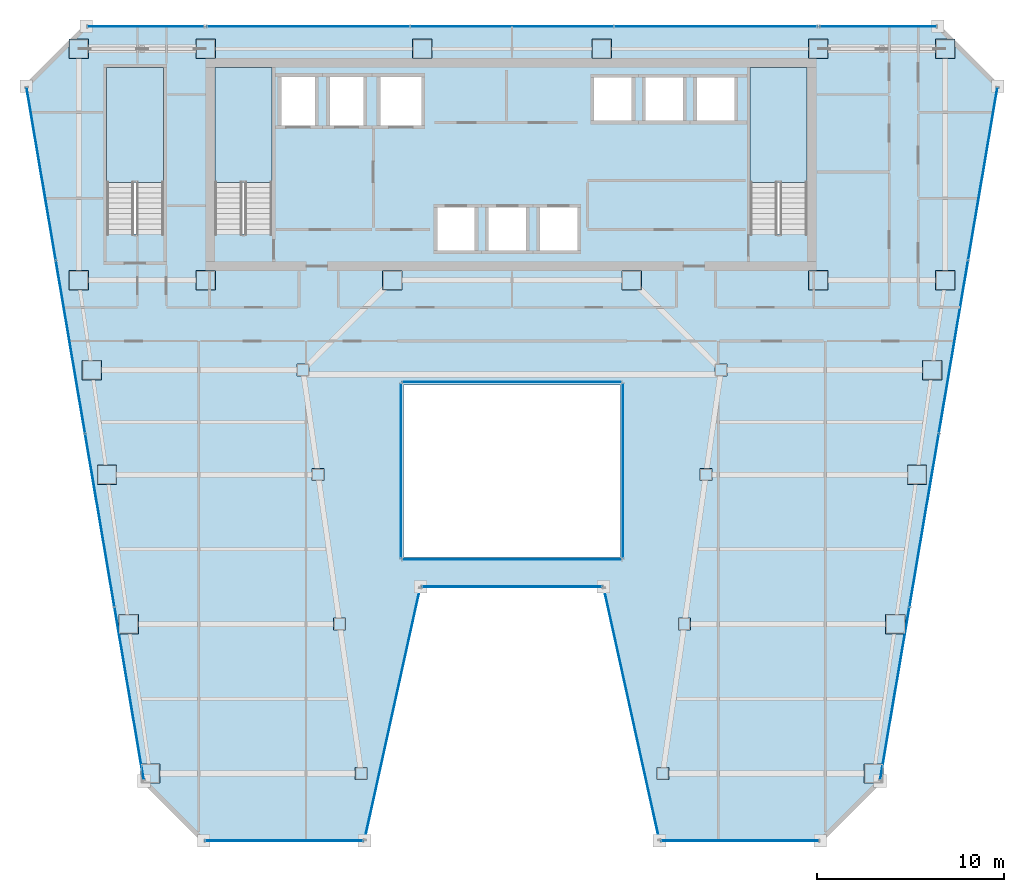
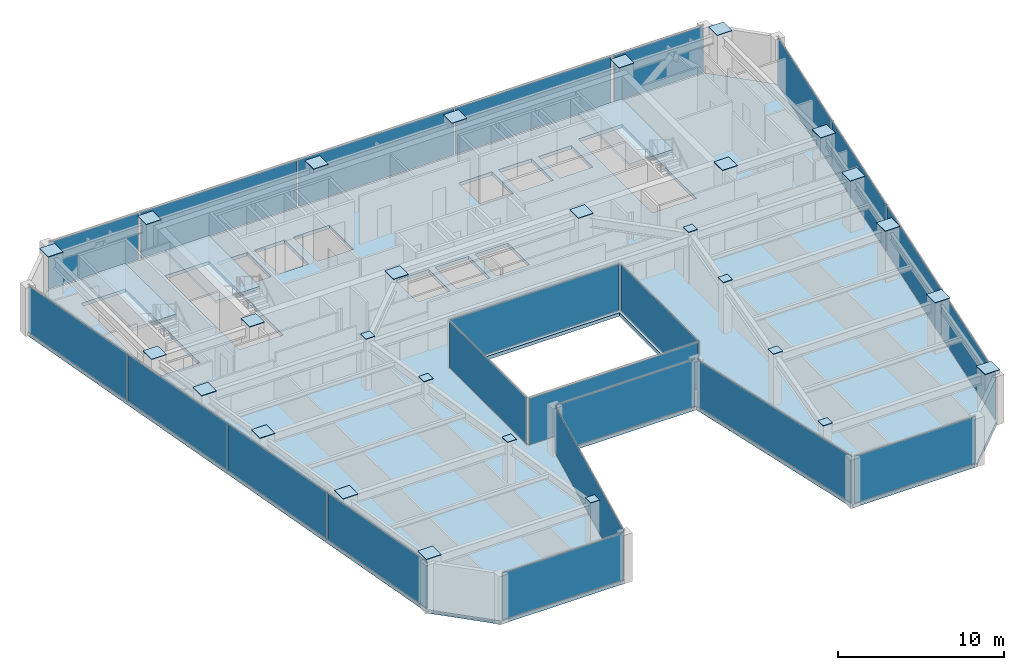
# One storey, part 27 of 35: 50 plates, 4 slabs, 17 elements without a shape of their own.
"""IFC4 building model written with IfcOpenShell, lengths in metres."""

from ifc_helpers import new_model, si_unit, direction, frame, origin, origin_2d, place, context, subcontext, project, spatial, polyline, rectangle, outline, extrude, material, layer, layer_set, type_object, element, aggregate, save


model = new_model("IFC4")

# Units and contexts
model_context = context("Model", 3, precision=1e-05, world=origin(), true_north=direction((0.0, 1.0)))
body_context = subcontext(model_context, "Body", "Model", "MODEL_VIEW")
ifc_project = project(units=[si_unit("LENGTHUNIT", "METRE"), si_unit("AREAUNIT", "SQUARE_METRE"), si_unit("VOLUMEUNIT", "CUBIC_METRE"), si_unit("PLANEANGLEUNIT", "RADIAN"), si_unit("MASSUNIT", "GRAM", prefix="KILO")], contexts=[model_context])

# Site, building, storey
site_placement = place(None, origin())
site = spatial("IfcSite", under=ifc_project, at=site_placement, CompositionType="ELEMENT")
building_placement = place(site_placement, origin())
building = spatial("IfcBuilding", under=site, at=building_placement, Name="Saevonmaru Cultural Tower", CompositionType="ELEMENT")
storey_placement = place(building_placement, frame((0.0, 0.0, 179.0)))
storey = spatial("IfcBuildingStorey", under=building, at=storey_placement, Name="L40", CompositionType="ELEMENT", Elevation=179.0)

# Plates
ifc_material_1 = material(Name="Steel HSA600 (600 MPa)", Category="steel")
ifc_layer_1 = layer(ifc_material_1, 0.0400390625, Name="Steel HSA600 (600 MPa)")
ifc_layer_set_1 = layer_set([ifc_layer_1], Name="Steel HSA600 (600 MPa)")
plate_type_1 = type_object("IfcPlateType", Name="PL-CAP-1000", PredefinedType="USERDEFINED", material=ifc_layer_set_1)
for number, where, z_axis, x_axis, name in (
    (1, (49.3720703125, 16.0, 3.794921875), (0.0, 0.0, 1.0), (1.0, 0.0, 0.0), "Column head cap plate TC-EO-Y160 L40"),
    (2, (50.528076171875, 24.0, 3.794921875), (0.0, 0.0, 1.0), (1.0, 0.0, 0.0), "Column head cap plate TC-EO-Y240 L40"),
    (3, (51.68310546875, 32.0, 3.794921875), (0.0, 0.0, 1.0), (1.0, 0.0, 0.0), "Column head cap plate TC-EO-Y320 L40"),
    (4, (52.491943359375, 37.60009765625, 3.794921875), (0.0, 0.0, 1.0), (1.0, 0.0, 0.0), "Column head cap plate TC-EO-Y376 L40"),
    (5, (6.800048828125, 54.800048828125, 3.794921875), (0.0, 0.0, 1.0), (1.0, 0.0, 0.0), "Column head cap plate TC-N1N L40"),
    (6, (13.60009765625, 54.800048828125, 3.794921875), (0.0, 0.0, 1.0), (1.0, 0.0, 0.0), "Column head cap plate TC-N2N L40"),
    (7, (25.199951171875, 54.800048828125, 3.794921875), (0.0, 0.0, 1.0), (1.0, 0.0, 0.0), "Column head cap plate TC-N3N L40"),
    (8, (34.800048828125, 54.800048828125, 3.794921875), (0.0, 0.0, 1.0), (1.0, 0.0, 0.0), "Column head cap plate TC-N4N L40"),
    (9, (46.39990234375, 54.800048828125, 3.794921875), (0.0, 0.0, 1.0), (1.0, 0.0, 0.0), "Column head cap plate TC-N5N L40"),
    (10, (53.199951171875, 54.800048828125, 3.794921875), (0.0, 0.0, 1.0), (1.0, 0.0, 0.0), "Column head cap plate TC-N6N L40"),
    (11, (6.800048828125, 42.39990234375, 3.794921875), (0.0, 0.0, 1.0), (1.0, 0.0, 0.0), "Column head cap plate TC-S1C L40"),
    (12, (13.60009765625, 42.39990234375, 3.794921875), (0.0, 0.0, 1.0), (1.0, 0.0, 0.0), "Column head cap plate TC-S2C L40"),
    (13, (23.60009765625, 42.39990234375, 3.794921875), (0.0, 0.0, 1.0), (1.0, 0.0, 0.0), "Column head cap plate TC-S3C L40"),
    (14, (36.39990234375, 42.39990234375, 3.794921875), (0.0, 0.0, 1.0), (1.0, 0.0, 0.0), "Column head cap plate TC-S4C L40"),
    (15, (46.39990234375, 42.39990234375, 3.794921875), (0.0, 0.0, 1.0), (1.0, 0.0, 0.0), "Column head cap plate TC-S5C L40"),
    (16, (53.199951171875, 42.39990234375, 3.794921875), (0.0, 0.0, 1.0), (1.0, 0.0, 0.0), "Column head cap plate TC-S6C L40"),
    (17, (10.6279296875, 16.0, 3.794921875), (0.0, 0.0, 1.0), (1.0, 0.0, 0.0), "Column head cap plate TC-WO-Y160 L40"),
    (18, (9.471923828125, 24.0, 3.794921875), (0.0, 0.0, 1.0), (1.0, 0.0, 0.0), "Column head cap plate TC-WO-Y240 L40"),
    (19, (8.31689453125, 32.0, 3.794921875), (0.0, 0.0, 1.0), (1.0, 0.0, 0.0), "Column head cap plate TC-WO-Y320 L40"),
    (20, (7.508056640625, 37.60009765625, 3.794921875), (0.0, 0.0, 1.0), (1.0, 0.0, 0.0), "Column head cap plate TC-WO-Y376 L40"),
):
    element("IfcPlate", number, at=place(storey_placement, frame(where, z_axis=z_axis, x_axis=x_axis)), inside=storey, type_object=plate_type_1, Name=name, ObjectType="CAP_PLATE", PredefinedType="USERDEFINED", context=body_context, shape_type="SweptSolid", body=[
        extrude(rectangle(XDim=1.0400390625, YDim=1.0400390625, at=origin_2d()), origin(), (0.0, 0.0, 1.0), 0.0400390625),
    ])
ifc_layer_2 = layer(ifc_material_1, 0.0400390625, Name="Steel HSA600 (600 MPa)")
ifc_layer_set_2 = layer_set([ifc_layer_2], Name="Steel HSA600 (600 MPa)")
plate_type_2 = type_object("IfcPlateType", Name="PL-CAP-600", PredefinedType="USERDEFINED", material=ifc_layer_set_2)
for number, where, z_axis, x_axis, name in (
    (21, (38.072021484375, 16.0, 3.794921875), (0.0, 0.0, 1.0), (1.0, 0.0, 0.0), "Column head cap plate TC-EI-Y160 L40"),
    (22, (39.22802734375, 24.0, 3.794921875), (0.0, 0.0, 1.0), (1.0, 0.0, 0.0), "Column head cap plate TC-EI-Y240 L40"),
    (23, (40.383056640625, 32.0, 3.794921875), (0.0, 0.0, 1.0), (1.0, 0.0, 0.0), "Column head cap plate TC-EI-Y320 L40"),
    (24, (41.19189453125, 37.60009765625, 3.794921875), (0.0, 0.0, 1.0), (1.0, 0.0, 0.0), "Column head cap plate TC-EI-Y376 L40"),
    (25, (21.927978515625, 16.0, 3.794921875), (0.0, 0.0, 1.0), (1.0, 0.0, 0.0), "Column head cap plate TC-WI-Y160 L40"),
    (26, (20.77197265625, 24.0, 3.794921875), (0.0, 0.0, 1.0), (1.0, 0.0, 0.0), "Column head cap plate TC-WI-Y240 L40"),
    (27, (19.616943359375, 32.0, 3.794921875), (0.0, 0.0, 1.0), (1.0, 0.0, 0.0), "Column head cap plate TC-WI-Y320 L40"),
    (28, (18.80810546875, 37.60009765625, 3.794921875), (0.0, 0.0, 1.0), (1.0, 0.0, 0.0), "Column head cap plate TC-WI-Y376 L40"),
):
    element("IfcPlate", number, at=place(storey_placement, frame(where, z_axis=z_axis, x_axis=x_axis)), inside=storey, type_object=plate_type_2, Name=name, ObjectType="CAP_PLATE", PredefinedType="USERDEFINED", context=body_context, shape_type="SweptSolid", body=[
        extrude(rectangle(XDim=0.639892578125, YDim=0.639892578125, at=origin_2d()), origin(), (0.0, 0.0, 1.0), 0.0400390625),
    ])

# Curtain wall, plate
ifc_material_2 = material(Name="Satin Bronze Anodised Aluminium", Category="aluminium")
curtain_wall_type_1 = type_object("IfcCurtainWallType", Name="CW-ATR-GLZ", PredefinedType="NOTDEFINED", material=ifc_material_2)
curtain_wall_1_placement = place(storey_placement, origin())
curtain_wall_1 = element("IfcCurtainWall", 29, at=curtain_wall_1_placement, inside=storey, type_object=curtain_wall_type_1, Name="L40 Vertical Atrium Glazed Smoke Screen 1", PredefinedType="NOTDEFINED")
ifc_material_3 = material(Name="Fire-Rated Laminated Atrium Glass", Category="glass")
ifc_layer_3 = layer(ifc_material_3, 0.031982421875, Name="Fire-Rated Laminated Atrium Glass")
ifc_layer_set_3 = layer_set([ifc_layer_3], Name="Fire-Rated Laminated Atrium Glass")
plate_type_3 = type_object("IfcPlateType", Name="PN-GLZ-ATR-INT", PredefinedType="CURTAIN_PANEL", material=ifc_layer_set_3)
plate_1_placement = place(storey_placement, frame((30.0, 27.449951171875, 0.06689453125), z_axis=(0.0, 0.0, 1.0), x_axis=(1.0, 0.0, 0.0)))
plate_1 = element("IfcPlate", 30, at=plate_1_placement, type_object=plate_type_3, Name="CW-ATR-L40-1 panel 1.1", PredefinedType="CURTAIN_PANEL", context=body_context, shape_type="SweptSolid", body=[
    extrude(rectangle(XDim=11.7109375, YDim=0.031982421875, at=origin_2d()), origin(), (0.0, 0.0, 1.0), 3.416015625),
])
aggregate(curtain_wall_1, [plate_1])

curtain_wall_2_placement = place(storey_placement, origin())
curtain_wall_2 = element("IfcCurtainWall", 31, at=curtain_wall_2_placement, inside=storey, type_object=curtain_wall_type_1, Name="L40 Vertical Atrium Glazed Smoke Screen 2", PredefinedType="NOTDEFINED")
plate_2_placement = place(storey_placement, frame((35.949951171875, 32.199951171875, 0.06689453125), z_axis=(0.0, 0.0, 1.0), x_axis=(0.0, 1.0, 0.0)))
plate_2 = element("IfcPlate", 32, at=plate_2_placement, type_object=plate_type_3, Name="CW-ATR-L40-2 panel 1.1", PredefinedType="CURTAIN_PANEL", context=body_context, shape_type="SweptSolid", body=[
    extrude(rectangle(XDim=9.31103515625, YDim=0.031982421875, at=origin_2d()), origin(), (0.0, 0.0, 1.0), 3.416015625),
])
aggregate(curtain_wall_2, [plate_2])

curtain_wall_3_placement = place(storey_placement, origin())
curtain_wall_3 = element("IfcCurtainWall", 33, at=curtain_wall_3_placement, inside=storey, type_object=curtain_wall_type_1, Name="L40 Vertical Atrium Glazed Smoke Screen 3", PredefinedType="NOTDEFINED")
plate_3_placement = place(storey_placement, frame((30.0, 36.949951171875, 0.06689453125), z_axis=(0.0, 0.0, 1.0), x_axis=(-1.0, 0.0, 0.0)))
plate_3 = element("IfcPlate", 34, at=plate_3_placement, type_object=plate_type_3, Name="CW-ATR-L40-3 panel 1.1", PredefinedType="CURTAIN_PANEL", context=body_context, shape_type="SweptSolid", body=[
    extrude(rectangle(XDim=11.7109375, YDim=0.031982421875, at=origin_2d()), origin(), (0.0, 0.0, 1.0), 3.416015625),
])
aggregate(curtain_wall_3, [plate_3])

curtain_wall_4_placement = place(storey_placement, origin())
curtain_wall_4 = element("IfcCurtainWall", 35, at=curtain_wall_4_placement, inside=storey, type_object=curtain_wall_type_1, Name="L40 Vertical Atrium Glazed Smoke Screen 4", PredefinedType="NOTDEFINED")
plate_4_placement = place(storey_placement, frame((24.050048828125, 32.199951171875, 0.06689453125), z_axis=(0.0, 0.0, 1.0), x_axis=(0.0, -1.0, 0.0)))
plate_4 = element("IfcPlate", 36, at=plate_4_placement, type_object=plate_type_3, Name="CW-ATR-L40-4 panel 1.1", PredefinedType="CURTAIN_PANEL", context=body_context, shape_type="SweptSolid", body=[
    extrude(rectangle(XDim=9.31103515625, YDim=0.031982421875, at=origin_2d()), origin(), (0.0, 0.0, 1.0), 3.416015625),
])
aggregate(curtain_wall_4, [plate_4])

curtain_wall_type_2 = type_object("IfcCurtainWallType", Name="CW-TYP-B", PredefinedType="NOTDEFINED", material=ifc_material_2)
curtain_wall_5_placement = place(storey_placement, origin())
curtain_wall_5 = element("IfcCurtainWall", 37, at=curtain_wall_5_placement, inside=storey, type_object=curtain_wall_type_2, Name="L40 Unitised Curtain Wall E2", PredefinedType="NOTDEFINED")
ifc_material_4 = material(Name="Triple Silver Low-E Insulating Glass", Category="glass")
ifc_layer_4 = layer(ifc_material_4, 0.035888671875, Name="Triple Silver Low-E Insulating Glass")
ifc_layer_set_4 = layer_set([ifc_layer_4], Name="Triple Silver Low-E Insulating Glass")
plate_type_4 = type_object("IfcPlateType", Name="PN-GLZ-IGU", PredefinedType="CURTAIN_PANEL", material=ifc_layer_set_4)
plate_5_placement = place(storey_placement, frame((17.7978515625, 12.39990234375, 0.06689453125), z_axis=(0.0, 0.0, 1.0), x_axis=(1.0, 0.0, 0.0)))
plate_5 = element("IfcPlate", 38, at=plate_5_placement, type_object=plate_type_4, Name="CW-TW-L40-E2 panel 1.1", PredefinedType="CURTAIN_PANEL", context=body_context, shape_type="SweptSolid", body=[
    extrude(rectangle(XDim=8.410888671875, YDim=0.035888671875, at=origin_2d()), origin(), (0.0, 0.0, 1.0), 3.416015625),
])
aggregate(curtain_wall_5, [plate_5])

curtain_wall_6_placement = place(storey_placement, origin())
curtain_wall_6 = element("IfcCurtainWall", 39, at=curtain_wall_6_placement, inside=storey, type_object=curtain_wall_type_2, Name="L40 Unitised Curtain Wall E3", PredefinedType="NOTDEFINED")
plate_6_placement = place(storey_placement, frame((23.597900390625, 19.199951171875, 0.06689453125), z_axis=(0.0, 0.0, 1.0), x_axis=(0.215413319953, 0.976522965212, 0.0)))
plate_6 = element("IfcPlate", 40, at=plate_6_placement, type_object=plate_type_4, Name="CW-TW-L40-E3 panel 1.1", PredefinedType="CURTAIN_PANEL", context=body_context, shape_type="SweptSolid", body=[
    extrude(rectangle(XDim=13.738037109375, YDim=0.035888671875, at=origin_2d()), origin(), (0.0, 0.0, 1.0), 3.416015625),
])
aggregate(curtain_wall_6, [plate_6])

curtain_wall_7_placement = place(storey_placement, origin())
curtain_wall_7 = element("IfcCurtainWall", 41, at=curtain_wall_7_placement, inside=storey, type_object=curtain_wall_type_2, Name="L40 Unitised Curtain Wall E4", PredefinedType="NOTDEFINED")
plate_7_placement = place(storey_placement, frame((30.0, 26.0, 0.06689453125), z_axis=(0.0, 0.0, 1.0), x_axis=(1.0, 0.0, 0.0)))
plate_7 = element("IfcPlate", 42, at=plate_7_placement, type_object=plate_type_4, Name="CW-TW-L40-E4 panel 1.1", PredefinedType="CURTAIN_PANEL", context=body_context, shape_type="SweptSolid", body=[
    extrude(rectangle(XDim=9.615478515625, YDim=0.035888671875, at=origin_2d()), origin(), (0.0, 0.0, 1.0), 3.416015625),
])
aggregate(curtain_wall_7, [plate_7])

curtain_wall_8_placement = place(storey_placement, origin())
curtain_wall_8 = element("IfcCurtainWall", 43, at=curtain_wall_8_placement, inside=storey, type_object=curtain_wall_type_2, Name="L40 Unitised Curtain Wall E5", PredefinedType="NOTDEFINED")
plate_8_placement = place(storey_placement, frame((36.402099609375, 19.199951171875, 0.06689453125), z_axis=(0.0, 0.0, 1.0), x_axis=(0.215413319953, -0.976522965212, 0.0)))
plate_8 = element("IfcPlate", 44, at=plate_8_placement, type_object=plate_type_4, Name="CW-TW-L40-E5 panel 1.1", PredefinedType="CURTAIN_PANEL", context=body_context, shape_type="SweptSolid", body=[
    extrude(rectangle(XDim=13.738037109375, YDim=0.035888671875, at=origin_2d()), origin(), (0.0, 0.0, 1.0), 3.416015625),
])
aggregate(curtain_wall_8, [plate_8])

curtain_wall_9_placement = place(storey_placement, origin())
curtain_wall_9 = element("IfcCurtainWall", 45, at=curtain_wall_9_placement, inside=storey, type_object=curtain_wall_type_2, Name="L40 Unitised Curtain Wall E6", PredefinedType="NOTDEFINED")
plate_9_placement = place(storey_placement, frame((42.2021484375, 12.39990234375, 0.06689453125), z_axis=(0.0, 0.0, 1.0), x_axis=(1.0, 0.0, 0.0)))
plate_9 = element("IfcPlate", 46, at=plate_9_placement, type_object=plate_type_4, Name="CW-TW-L40-E6 panel 1.1", PredefinedType="CURTAIN_PANEL", context=body_context, shape_type="SweptSolid", body=[
    extrude(rectangle(XDim=8.410888671875, YDim=0.035888671875, at=origin_2d()), origin(), (0.0, 0.0, 1.0), 3.416015625),
])
aggregate(curtain_wall_9, [plate_9])

# Curtain wall, plates
curtain_wall_10_placement = place(storey_placement, origin())
curtain_wall_10 = element("IfcCurtainWall", 47, at=curtain_wall_10_placement, inside=storey, type_object=curtain_wall_type_2, Name="L40 Unitised Curtain Wall E8", PredefinedType="NOTDEFINED")
plate_10_placement = place(storey_placement, frame((50.496826171875, 20.29443359375, 0.06689453125), z_axis=(0.0, 0.0, 1.0), x_axis=(0.16692169721, 0.985970155228, 0.0)))
plate_10 = element("IfcPlate", 48, at=plate_10_placement, type_object=plate_type_4, Name="CW-TW-L40-E8 panel 1.1", PredefinedType="CURTAIN_PANEL", context=body_context, shape_type="SweptSolid", body=[
    extrude(rectangle(XDim=9.333251953125, YDim=0.035888671875, at=origin_2d()), origin(), (0.0, 0.0, 1.0), 3.416015625),
])
plate_11_placement = place(storey_placement, frame((52.06640625, 29.564697265625, 0.06689453125), z_axis=(0.0, 0.0, 1.0), x_axis=(0.16692169721, 0.985970155228, 0.0)))
plate_11 = element("IfcPlate", 49, at=plate_11_placement, type_object=plate_type_4, Name="CW-TW-L40-E8 panel 2.1", PredefinedType="CURTAIN_PANEL", context=body_context, shape_type="SweptSolid", body=[
    extrude(rectangle(XDim=9.333251953125, YDim=0.035888671875, at=origin_2d()), origin(), (0.0, 0.0, 1.0), 3.416015625),
])
plate_12_placement = place(storey_placement, frame((53.6357421875, 38.835205078125, 0.06689453125), z_axis=(0.0, 0.0, 1.0), x_axis=(0.16692169721, 0.985970155228, 0.0)))
plate_12 = element("IfcPlate", 50, at=plate_12_placement, type_object=plate_type_4, Name="CW-TW-L40-E8 panel 3.1", PredefinedType="CURTAIN_PANEL", context=body_context, shape_type="SweptSolid", body=[
    extrude(rectangle(XDim=9.333251953125, YDim=0.035888671875, at=origin_2d()), origin(), (0.0, 0.0, 1.0), 3.416015625),
])
plate_13_placement = place(storey_placement, frame((55.205322265625, 48.105712890625, 0.06689453125), z_axis=(0.0, 0.0, 1.0), x_axis=(0.16692169721, 0.985970155228, 0.0)))
plate_13 = element("IfcPlate", 51, at=plate_13_placement, type_object=plate_type_4, Name="CW-TW-L40-E8 panel 4.1", PredefinedType="CURTAIN_PANEL", context=body_context, shape_type="SweptSolid", body=[
    extrude(rectangle(XDim=9.333251953125, YDim=0.035888671875, at=origin_2d()), origin(), (0.0, 0.0, 1.0), 3.416015625),
])
aggregate(curtain_wall_10, [plate_10, plate_11, plate_12, plate_13])

curtain_wall_11_placement = place(storey_placement, origin())
curtain_wall_11 = element("IfcCurtainWall", 52, at=curtain_wall_11_placement, inside=storey, type_object=curtain_wall_type_2, Name="L40 North Spine Unitised Curtain Wall E10B", PredefinedType="NOTDEFINED")
plate_14_placement = place(storey_placement, frame((40.893310546875, 56.0, 0.06689453125), z_axis=(0.0, 0.0, 1.0), x_axis=(-1.0, 0.0, 0.0)))
plate_14 = element("IfcPlate", 53, at=plate_14_placement, type_object=plate_type_4, Name="CW-TW-L40-E10B panel 1.1", PredefinedType="CURTAIN_PANEL", context=body_context, shape_type="SweptSolid", body=[
    extrude(rectangle(XDim=10.82421875, YDim=0.035888671875, at=origin_2d()), origin(), (0.0, 0.0, 1.0), 3.416015625),
])
plate_15_placement = place(storey_placement, frame((30.0, 56.0, 0.06689453125), z_axis=(0.0, 0.0, 1.0), x_axis=(-1.0, 0.0, 0.0)))
plate_15 = element("IfcPlate", 54, at=plate_15_placement, type_object=plate_type_4, Name="CW-TW-L40-E10B panel 2.1", PredefinedType="CURTAIN_PANEL", context=body_context, shape_type="SweptSolid", body=[
    extrude(rectangle(XDim=10.82421875, YDim=0.035888671875, at=origin_2d()), origin(), (0.0, 0.0, 1.0), 3.416015625),
])
plate_16_placement = place(storey_placement, frame((19.106689453125, 56.0, 0.06689453125), z_axis=(0.0, 0.0, 1.0), x_axis=(-1.0, 0.0, 0.0)))
plate_16 = element("IfcPlate", 55, at=plate_16_placement, type_object=plate_type_4, Name="CW-TW-L40-E10B panel 3.1", PredefinedType="CURTAIN_PANEL", context=body_context, shape_type="SweptSolid", body=[
    extrude(rectangle(XDim=10.82421875, YDim=0.035888671875, at=origin_2d()), origin(), (0.0, 0.0, 1.0), 3.416015625),
])
aggregate(curtain_wall_11, [plate_14, plate_15, plate_16])

curtain_wall_12_placement = place(storey_placement, origin())
curtain_wall_12 = element("IfcCurtainWall", 56, at=curtain_wall_12_placement, inside=storey, type_object=curtain_wall_type_2, Name="L40 Unitised Curtain Wall E12", PredefinedType="NOTDEFINED")
plate_17_placement = place(storey_placement, frame((4.794677734375, 48.105712890625, 0.06689453125), z_axis=(0.0, 0.0, 1.0), x_axis=(0.16692169721, -0.985970155228, 0.0)))
plate_17 = element("IfcPlate", 57, at=plate_17_placement, type_object=plate_type_4, Name="CW-TW-L40-E12 panel 1.1", PredefinedType="CURTAIN_PANEL", context=body_context, shape_type="SweptSolid", body=[
    extrude(rectangle(XDim=9.333251953125, YDim=0.035888671875, at=origin_2d()), origin(), (0.0, 0.0, 1.0), 3.416015625),
])
plate_18_placement = place(storey_placement, frame((6.3642578125, 38.835205078125, 0.06689453125), z_axis=(0.0, 0.0, 1.0), x_axis=(0.16692169721, -0.985970155228, 0.0)))
plate_18 = element("IfcPlate", 58, at=plate_18_placement, type_object=plate_type_4, Name="CW-TW-L40-E12 panel 2.1", PredefinedType="CURTAIN_PANEL", context=body_context, shape_type="SweptSolid", body=[
    extrude(rectangle(XDim=9.333251953125, YDim=0.035888671875, at=origin_2d()), origin(), (0.0, 0.0, 1.0), 3.416015625),
])
plate_19_placement = place(storey_placement, frame((7.93359375, 29.564697265625, 0.06689453125), z_axis=(0.0, 0.0, 1.0), x_axis=(0.16692169721, -0.985970155228, 0.0)))
plate_19 = element("IfcPlate", 59, at=plate_19_placement, type_object=plate_type_4, Name="CW-TW-L40-E12 panel 3.1", PredefinedType="CURTAIN_PANEL", context=body_context, shape_type="SweptSolid", body=[
    extrude(rectangle(XDim=9.333251953125, YDim=0.035888671875, at=origin_2d()), origin(), (0.0, 0.0, 1.0), 3.416015625),
])
plate_20_placement = place(storey_placement, frame((9.503173828125, 20.29443359375, 0.06689453125), z_axis=(0.0, 0.0, 1.0), x_axis=(0.16692169721, -0.985970155228, 0.0)))
plate_20 = element("IfcPlate", 60, at=plate_20_placement, type_object=plate_type_4, Name="CW-TW-L40-E12 panel 4.1", PredefinedType="CURTAIN_PANEL", context=body_context, shape_type="SweptSolid", body=[
    extrude(rectangle(XDim=9.333251953125, YDim=0.035888671875, at=origin_2d()), origin(), (0.0, 0.0, 1.0), 3.416015625),
])
aggregate(curtain_wall_12, [plate_17, plate_18, plate_19, plate_20])

# Curtain wall, plate
curtain_wall_13_placement = place(storey_placement, origin())
curtain_wall_13 = element("IfcCurtainWall", 61, at=curtain_wall_13_placement, inside=storey, type_object=curtain_wall_type_2, Name="L40 East Braced Bay Spandrel Curtain Wall E10A", PredefinedType="NOTDEFINED")
ifc_material_5 = material(Name="Insulated Satin Bronze Aluminium Spandrel Panel", Category="aluminium")
ifc_layer_5 = layer(ifc_material_5, 0.0400390625, Name="Insulated Satin Bronze Aluminium Spandrel Panel")
ifc_layer_set_5 = layer_set([ifc_layer_5], Name="Insulated Satin Bronze Aluminium Spandrel Panel")
plate_type_5 = type_object("IfcPlateType", Name="PN-SPANDREL-BRONZE", PredefinedType="CURTAIN_PANEL", material=ifc_layer_set_5)
plate_21_placement = place(storey_placement, frame((49.60009765625, 56.0, 0.06689453125), z_axis=(0.0, 0.0, 1.0), x_axis=(-1.0, 0.0, 0.0)))
plate_21 = element("IfcPlate", 62, at=plate_21_placement, type_object=plate_type_5, Name="CW-TW-L40-E10A panel 1.1", PredefinedType="CURTAIN_PANEL", context=body_context, shape_type="SweptSolid", body=[
    extrude(rectangle(XDim=6.2109375, YDim=0.035888671875, at=origin_2d()), origin(), (0.0, 0.0, 1.0), 3.416015625),
])
aggregate(curtain_wall_13, [plate_21])

curtain_wall_14_placement = place(storey_placement, origin())
curtain_wall_14 = element("IfcCurtainWall", 63, at=curtain_wall_14_placement, inside=storey, type_object=curtain_wall_type_2, Name="L40 West Braced Bay Spandrel Curtain Wall E10C", PredefinedType="NOTDEFINED")
plate_22_placement = place(storey_placement, frame((10.39990234375, 56.0, 0.06689453125), z_axis=(0.0, 0.0, 1.0), x_axis=(-1.0, 0.0, 0.0)))
plate_22 = element("IfcPlate", 64, at=plate_22_placement, type_object=plate_type_5, Name="CW-TW-L40-E10C panel 1.1", PredefinedType="CURTAIN_PANEL", context=body_context, shape_type="SweptSolid", body=[
    extrude(rectangle(XDim=6.2109375, YDim=0.035888671875, at=origin_2d()), origin(), (0.0, 0.0, 1.0), 3.416015625),
])
aggregate(curtain_wall_14, [plate_22])

# Slab
ifc_material_6 = material(Name="Concrete C40/50", Category="concrete")
ifc_layer_6 = layer(ifc_material_6, 0.25, Name="Concrete C40/50")
ifc_layer_set_6 = layer_set([ifc_layer_6], Name="Concrete C40/50")
slab_type_1 = type_object("IfcSlabType", Name="SL-FLR-250", PredefinedType="FLOOR", material=ifc_layer_set_6)
slab_1_placement = place(storey_placement, frame((0.0, 0.0, -0.25)))
element("IfcSlab", 65, at=slab_1_placement, inside=storey, type_object=slab_type_1, Name="L40 Tower Structural Floor Slab", PredefinedType="FLOOR", context=body_context, shape_type="SweptSolid", body=[
    extrude(outline(polyline([(10.2978515625, 15.60009765625), (13.497802734375, 12.39990234375), (22.097900390625, 12.39990234375), (25.097900390625, 26.0), (34.902099609375, 26.0), (37.902099609375, 12.39990234375), (46.502197265625, 12.39990234375), (49.7021484375, 15.60009765625), (56.0, 52.800048828125), (52.800048828125, 56.0), (7.199951171875, 56.0), (4.0, 52.800048828125), (10.2978515625, 15.60009765625)]), holes=[polyline([(45.800048828125, 44.875), (42.75, 44.875), (42.75, 53.800048828125), (45.800048828125, 53.800048828125), (45.800048828125, 44.875)]), polyline([(39.75, 50.800048828125), (39.75, 53.39990234375), (42.050048828125, 53.39990234375), (42.050048828125, 50.800048828125), (39.75, 50.800048828125)]), polyline([(37.0, 50.800048828125), (37.0, 53.39990234375), (39.300048828125, 53.39990234375), (39.300048828125, 50.800048828125), (37.0, 50.800048828125)]), polyline([(34.25, 50.800048828125), (34.25, 53.39990234375), (36.550048828125, 53.39990234375), (36.550048828125, 50.800048828125), (34.25, 50.800048828125)]), polyline([(24.199951171875, 27.60009765625), (24.199951171875, 36.800048828125), (35.800048828125, 36.800048828125), (35.800048828125, 27.60009765625), (24.199951171875, 27.60009765625)]), polyline([(31.35009765625, 43.85009765625), (31.35009765625, 46.449951171875), (33.64990234375, 46.449951171875), (33.64990234375, 43.85009765625), (31.35009765625, 43.85009765625)]), polyline([(28.60009765625, 43.85009765625), (28.60009765625, 46.449951171875), (30.89990234375, 46.449951171875), (30.89990234375, 43.85009765625), (28.60009765625, 43.85009765625)]), polyline([(28.14990234375, 43.85009765625), (25.85009765625, 43.85009765625), (25.85009765625, 46.449951171875), (28.14990234375, 46.449951171875), (28.14990234375, 43.85009765625)]), polyline([(25.300048828125, 50.550048828125), (22.800048828125, 50.550048828125), (22.800048828125, 53.449951171875), (25.300048828125, 53.449951171875), (25.300048828125, 50.550048828125)]), polyline([(20.10009765625, 50.550048828125), (20.10009765625, 53.449951171875), (22.199951171875, 53.449951171875), (22.199951171875, 50.550048828125), (20.10009765625, 50.550048828125)]), polyline([(17.5, 50.550048828125), (17.5, 53.449951171875), (19.60009765625, 53.449951171875), (19.60009765625, 50.550048828125), (17.5, 50.550048828125)]), polyline([(17.14990234375, 53.800048828125), (17.14990234375, 44.875), (14.10009765625, 44.875), (14.10009765625, 53.800048828125), (17.14990234375, 53.800048828125)]), polyline([(11.35009765625, 44.875), (8.300048828125, 44.875), (8.300048828125, 53.800048828125), (11.35009765625, 53.800048828125), (11.35009765625, 44.875)])]), origin(), (0.0, 0.0, 1.0), 0.25),
])

# Stair, slab
stair_type = type_object("IfcStairType", Name="STR-DOGLEG-RC", PredefinedType="HALF_TURN_STAIR", material=ifc_material_6)
stair_1_placement = place(storey_placement, origin())
stair_1 = element("IfcStair", 66, at=stair_1_placement, inside=storey, type_object=stair_type, Name="L40 Protected exit stair ST-1", PredefinedType="HALF_TURN_STAIR")
ifc_layer_7 = layer(ifc_material_6, 0.199951171875, Name="Concrete C40/50")
ifc_layer_set_7 = layer_set([ifc_layer_7], Name="Concrete C40/50")
slab_type_2 = type_object("IfcSlabType", Name="SL-STAIR-LANDING", PredefinedType="LANDING", material=ifc_layer_set_7)
slab_2_placement = place(storey_placement, frame((0.0, 0.0, 1.699951171875)))
slab_2 = element("IfcSlab", 67, at=slab_2_placement, type_object=slab_type_2, Name="ST-1-L40 landing 1", PredefinedType="LANDING", context=body_context, shape_type="SweptSolid", body=[
    extrude(outline(polyline([(17.14990234375, 47.64990234375), (17.14990234375, 53.800048828125), (14.10009765625, 53.800048828125), (14.10009765625, 47.64990234375), (17.14990234375, 47.64990234375)])), origin(), (0.0, 0.0, 1.0), 0.199951171875),
])
aggregate(stair_1, [slab_2])

stair_2_placement = place(storey_placement, origin())
stair_2 = element("IfcStair", 68, at=stair_2_placement, inside=storey, type_object=stair_type, Name="L40 Protected exit stair ST-2", PredefinedType="HALF_TURN_STAIR")
slab_3_placement = place(storey_placement, frame((0.0, 0.0, 1.699951171875)))
slab_3 = element("IfcSlab", 69, at=slab_3_placement, type_object=slab_type_2, Name="ST-2-L40 landing 1", PredefinedType="LANDING", context=body_context, shape_type="SweptSolid", body=[
    extrude(outline(polyline([(45.800048828125, 47.64990234375), (45.800048828125, 53.800048828125), (42.75, 53.800048828125), (42.75, 47.64990234375), (45.800048828125, 47.64990234375)])), origin(), (0.0, 0.0, 1.0), 0.199951171875),
])
aggregate(stair_2, [slab_3])

stair_3_placement = place(storey_placement, origin())
stair_3 = element("IfcStair", 70, at=stair_3_placement, inside=storey, type_object=stair_type, Name="L40 Protected exit stair ST-3", PredefinedType="HALF_TURN_STAIR")
slab_4_placement = place(storey_placement, frame((0.0, 0.0, 1.699951171875)))
slab_4 = element("IfcSlab", 71, at=slab_4_placement, type_object=slab_type_2, Name="ST-3-L40 landing 1", PredefinedType="LANDING", context=body_context, shape_type="SweptSolid", body=[
    extrude(outline(polyline([(11.35009765625, 47.64990234375), (11.35009765625, 53.800048828125), (8.300048828125, 53.800048828125), (8.300048828125, 47.64990234375), (11.35009765625, 47.64990234375)])), origin(), (0.0, 0.0, 1.0), 0.199951171875),
])
aggregate(stair_3, [slab_4])

save(model, "model.ifc")
